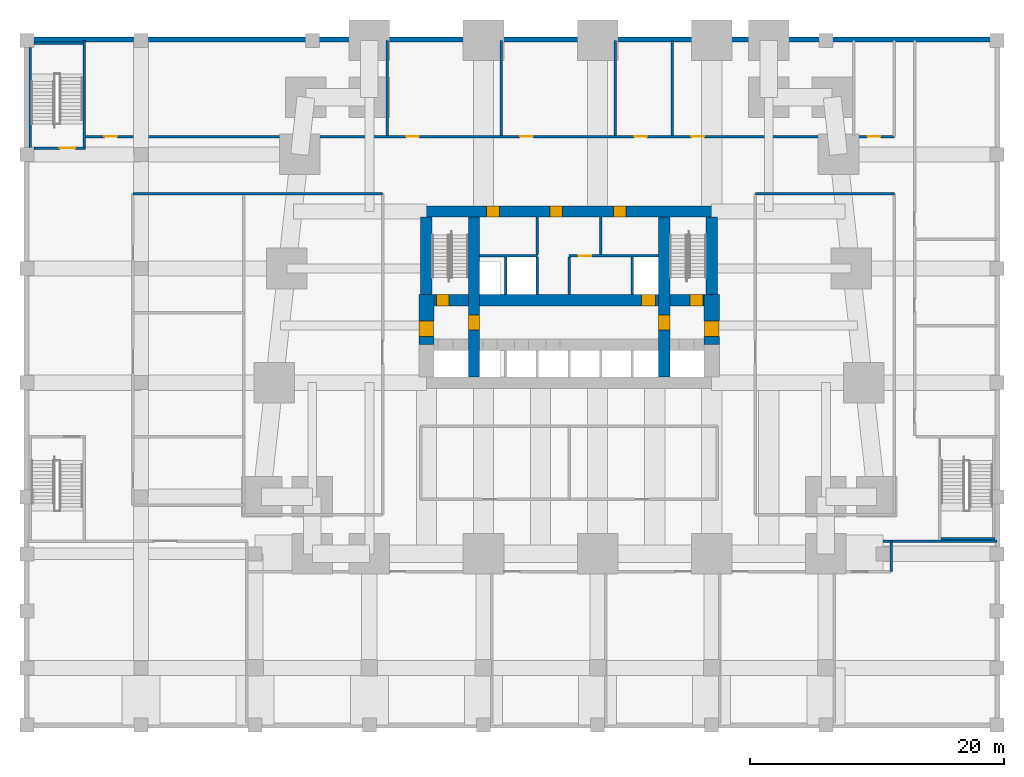
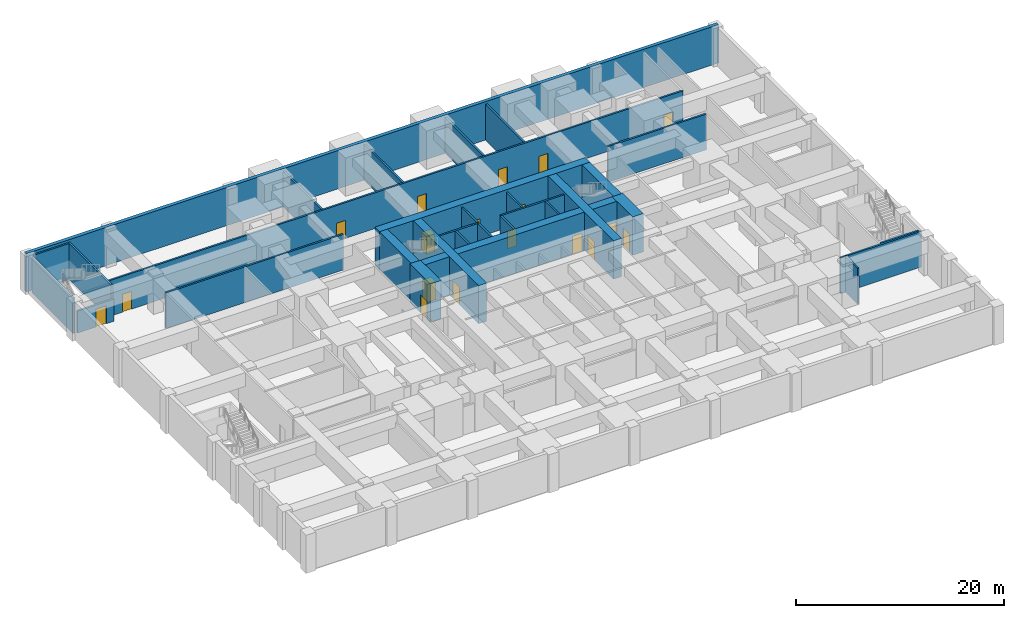
# One storey, part 4 of 8: 31 walls, 18 doors, 18 openings.
"""IFC4 building model written with IfcOpenShell, lengths in metres."""

from ifc_helpers import new_model, si_unit, direction, frame, frame_2d, origin, place, context, subcontext, project, spatial, rectangle, extrude, material, layer, layer_set, type_object, element, fill, save


model = new_model("IFC4")

# Units and contexts
model_context = context("Model", 3, precision=1e-05, world=origin(), true_north=direction((0.0, 1.0)))
body_context = subcontext(model_context, "Body", "Model", "MODEL_VIEW")
ifc_project = project(units=[si_unit("LENGTHUNIT", "METRE"), si_unit("AREAUNIT", "SQUARE_METRE"), si_unit("VOLUMEUNIT", "CUBIC_METRE"), si_unit("PLANEANGLEUNIT", "RADIAN"), si_unit("MASSUNIT", "GRAM", prefix="KILO")], contexts=[model_context])

# Site, building, storey
site_placement = place(None, origin())
site = spatial("IfcSite", under=ifc_project, at=site_placement, CompositionType="ELEMENT")
building_placement = place(site_placement, origin())
building = spatial("IfcBuilding", under=site, at=building_placement, Name="Kilele Tower Hotel", CompositionType="ELEMENT")
storey_placement = place(building_placement, frame((0.0, 0.0, -4.5)))
storey = spatial("IfcBuildingStorey", under=building, at=storey_placement, Name="B1", CompositionType="ELEMENT", Elevation=-4.5)

# Wall
ifc_material_1 = material(Name="Concrete C70/85", Category="concrete")
ifc_layer_1 = layer(ifc_material_1, 0.39990234375)
ifc_layer_set_1 = layer_set([ifc_layer_1], Name="Concrete C70/85")
wall_type_1 = type_object("IfcWallType", Name="Basement retaining wall 400", PredefinedType="SOLIDWALL", material=ifc_layer_set_1)
wall_1_placement = place(storey_placement, frame((58.75, 40.550048828125, 0.0), z_axis=(0.0, 0.0, 1.0), x_axis=(-1.0, 0.0, 0.0)))
element("IfcWall", 1, at=wall_1_placement, inside=storey, type_object=wall_type_1, Name="Retaining wall B1 N", PredefinedType="SOLIDWALL", context=body_context, shape_type="SweptSolid", body=[
    extrude(rectangle(XDim=77.0, YDim=0.39990234375, at=frame_2d((38.5, 0.0))), origin(), (0.0, 0.0, 1.0), 4.5),
])

# Wall, opening, door
ifc_material_2 = material(Name="Concrete C60/75", Category="concrete")
ifc_layer_2 = layer(ifc_material_2, 1.199951171875)
ifc_layer_set_2 = layer_set([ifc_layer_2], Name="Concrete C60/75")
wall_type_2 = type_object("IfcWallType", Name="Core wall 1200 C60/75", PredefinedType="SHEAR", material=ifc_layer_set_2)
wall_2_placement = place(storey_placement, frame((13.5, 20.449951171875, 0.0), z_axis=(0.0, 0.0, 1.0), x_axis=(0.0, -1.0, 0.0)))
wall_2 = element("IfcWall", 2, at=wall_2_placement, inside=storey, type_object=wall_type_2, Name="Core wall W2 B1", PredefinedType="SHEAR", context=body_context, shape_type="SweptSolid", body=[
    extrude(rectangle(XDim=3.949951171875, YDim=1.199951171875, at=frame_2d((1.97509765625, 0.0))), origin(), (0.0, 0.0, 1.0), 4.5),
])
opening_1_placement = place(wall_2_placement, frame((2.10009765625, 0.0, 0.0)))
opening_1 = element("IfcOpeningElement", 3, at=opening_1_placement, cuts=wall_2, Name="Opening D4", PredefinedType="OPENING", context=body_context, shape_type="SweptSolid", body=[
    extrude(rectangle(XDim=1.199951171875, YDim=2.10009765625, at=frame_2d((0.60009765625, 1.050048828125))), frame((0.0, 0.60986328125, 0.0), z_axis=(0.0, -1.0, 0.0), x_axis=(1.0, 0.0, 0.0)), (0.0, 0.0, 1.0), 1.219970703125),
])
ifc_material_3 = material(Name="Timber door leaf in hardwood frame", Category="wood")
door_type_1 = type_object("IfcDoorType", Name="Firefighting lobby door 1200", OperationType="SINGLE_SWING_LEFT", PredefinedType="DOOR", material=ifc_material_3)
door_1_placement = place(opening_1_placement, origin())
door_1 = element("IfcDoor", 4, at=door_1_placement, inside=storey, type_object=door_type_1, Name="Lobby door B1", OperationType="SINGLE_SWING_RIGHT", OverallHeight=2.10009765625, OverallWidth=1.199951171875, PredefinedType="DOOR", context=body_context, shape_type="SweptSolid", body=[
    extrude(rectangle(XDim=1.199951171875, YDim=2.10009765625, at=frame_2d((0.60009765625, 1.050048828125))), frame((0.0, 0.574951171875, 0.0), z_axis=(0.0, -1.0, 0.0), x_axis=(1.0, 0.0, 0.0)), (0.0, 0.0, 1.0), 1.14990234375),
])
fill(opening_1, door_1)

wall_3_placement = place(storey_placement, frame((36.0, 16.5, 0.0), z_axis=(0.0, 0.0, 1.0), x_axis=(0.0, 1.0, 0.0)))
wall_3 = element("IfcWall", 5, at=wall_3_placement, inside=storey, type_object=wall_type_2, Name="Core wall E2 B1", PredefinedType="SHEAR", context=body_context, shape_type="SweptSolid", body=[
    extrude(rectangle(XDim=3.949951171875, YDim=1.199951171875, at=frame_2d((1.97509765625, 0.0))), origin(), (0.0, 0.0, 1.0), 4.5),
])
opening_2_placement = place(wall_3_placement, frame((0.64990234375, 0.0, 0.0)))
opening_2 = element("IfcOpeningElement", 6, at=opening_2_placement, cuts=wall_3, Name="Opening D4", PredefinedType="OPENING", context=body_context, shape_type="SweptSolid", body=[
    extrude(rectangle(XDim=1.199951171875, YDim=2.10009765625, at=frame_2d((0.60009765625, 1.050048828125))), frame((0.0, 0.60986328125, 0.0), z_axis=(0.0, -1.0, 0.0), x_axis=(1.0, 0.0, 0.0)), (0.0, 0.0, 1.0), 1.219970703125),
])
door_2_placement = place(opening_2_placement, origin())
door_2 = element("IfcDoor", 7, at=door_2_placement, inside=storey, type_object=door_type_1, Name="Lobby door B1", OperationType="SINGLE_SWING_LEFT", OverallHeight=2.10009765625, OverallWidth=1.199951171875, PredefinedType="DOOR", context=body_context, shape_type="SweptSolid", body=[
    extrude(rectangle(XDim=1.199951171875, YDim=2.10009765625, at=frame_2d((0.60009765625, 1.050048828125))), frame((0.0, 0.574951171875, 0.0), z_axis=(0.0, -1.0, 0.0), x_axis=(1.0, 0.0, 0.0)), (0.0, 0.0, 1.0), 1.14990234375),
])
fill(opening_2, door_2)

# Wall, openings, doors
ifc_material_4 = material(Name="Concrete C60/75", Category="concrete")
ifc_layer_3 = layer(ifc_material_4, 0.89990234375)
ifc_layer_set_3 = layer_set([ifc_layer_3], Name="Concrete C60/75")
wall_type_3 = type_object("IfcWallType", Name="Core wall 900 C60/75", PredefinedType="SHEAR", material=ifc_layer_set_3)
wall_4_placement = place(storey_placement, frame((36.449951171875, 27.0, 0.0), z_axis=(0.0, 0.0, 1.0), x_axis=(-1.0, 0.0, 0.0)))
wall_4 = element("IfcWall", 8, at=wall_4_placement, inside=storey, type_object=wall_type_3, Name="Core wall N B1", PredefinedType="SHEAR", context=body_context, shape_type="SweptSolid", body=[
    extrude(rectangle(XDim=23.39990234375, YDim=0.89990234375, at=frame_2d((11.699951171875, 0.0))), origin(), (0.0, 0.0, 1.0), 4.5),
])
opening_3_placement = place(wall_4_placement, frame((17.199951171875, 0.0, 0.0)))
opening_3 = element("IfcOpeningElement", 9, at=opening_3_placement, cuts=wall_4, Name="Opening D6", PredefinedType="OPENING", context=body_context, shape_type="SweptSolid", body=[
    extrude(rectangle(XDim=1.0, YDim=2.10009765625, at=frame_2d((0.5, 1.050048828125))), frame((0.0, 0.4599609375, 0.0), z_axis=(0.0, -1.0, 0.0), x_axis=(1.0, 0.0, 0.0)), (0.0, 0.0, 1.0), 0.919921875),
])
opening_4_placement = place(wall_4_placement, frame((12.199951171875, 0.0, 0.0)))
opening_4 = element("IfcOpeningElement", 10, at=opening_4_placement, cuts=wall_4, Name="Opening D6", PredefinedType="OPENING", context=body_context, shape_type="SweptSolid", body=[
    extrude(rectangle(XDim=1.0, YDim=2.10009765625, at=frame_2d((0.5, 1.050048828125))), frame((0.0, 0.4599609375, 0.0), z_axis=(0.0, -1.0, 0.0), x_axis=(1.0, 0.0, 0.0)), (0.0, 0.0, 1.0), 0.919921875),
])
opening_5_placement = place(wall_4_placement, frame((7.199951171875, 0.0, 0.0)))
opening_5 = element("IfcOpeningElement", 11, at=opening_5_placement, cuts=wall_4, Name="Opening D6", PredefinedType="OPENING", context=body_context, shape_type="SweptSolid", body=[
    extrude(rectangle(XDim=1.0, YDim=2.10009765625, at=frame_2d((0.5, 1.050048828125))), frame((0.0, 0.4599609375, 0.0), z_axis=(0.0, -1.0, 0.0), x_axis=(1.0, 0.0, 0.0)), (0.0, 0.0, 1.0), 0.919921875),
])
ifc_material_5 = material(Name="Timber door leaf in hardwood frame", Category="wood")
door_type_2 = type_object("IfcDoorType", Name="Riser door 1000", OperationType="SINGLE_SWING_LEFT", PredefinedType="DOOR", material=ifc_material_5)
door_3_placement = place(opening_3_placement, origin())
door_3 = element("IfcDoor", 12, at=door_3_placement, inside=storey, type_object=door_type_2, Name="Service riser door B1", OperationType="SINGLE_SWING_RIGHT", OverallHeight=2.10009765625, OverallWidth=1.0, PredefinedType="DOOR", context=body_context, shape_type="SweptSolid", body=[
    extrude(rectangle(XDim=1.0, YDim=2.10009765625, at=frame_2d((0.5, 1.050048828125))), frame((0.0, 0.44970703125, 0.0), z_axis=(0.0, -1.0, 0.0), x_axis=(1.0, 0.0, 0.0)), (0.0, 0.0, 1.0), 0.8994140625),
])
fill(opening_3, door_3)
door_4_placement = place(opening_4_placement, origin())
door_4 = element("IfcDoor", 13, at=door_4_placement, inside=storey, type_object=door_type_2, Name="Plant store door B1", OperationType="SINGLE_SWING_RIGHT", OverallHeight=2.10009765625, OverallWidth=1.0, PredefinedType="DOOR", context=body_context, shape_type="SweptSolid", body=[
    extrude(rectangle(XDim=1.0, YDim=2.10009765625, at=frame_2d((0.5, 1.050048828125))), frame((0.0, 0.44970703125, 0.0), z_axis=(0.0, -1.0, 0.0), x_axis=(1.0, 0.0, 0.0)), (0.0, 0.0, 1.0), 0.8994140625),
])
fill(opening_4, door_4)
door_5_placement = place(opening_5_placement, origin())
door_5 = element("IfcDoor", 14, at=door_5_placement, inside=storey, type_object=door_type_2, Name="Electrical riser door B1", OperationType="SINGLE_SWING_RIGHT", OverallHeight=2.10009765625, OverallWidth=1.0, PredefinedType="DOOR", context=body_context, shape_type="SweptSolid", body=[
    extrude(rectangle(XDim=1.0, YDim=2.10009765625, at=frame_2d((0.5, 1.050048828125))), frame((0.0, 0.44970703125, 0.0), z_axis=(0.0, -1.0, 0.0), x_axis=(1.0, 0.0, 0.0)), (0.0, 0.0, 1.0), 0.8994140625),
])
fill(opening_5, door_5)

# Wall, opening, door
wall_5_placement = place(storey_placement, frame((17.25, 13.949951171875, 0.0), z_axis=(0.0, 0.0, 1.0), x_axis=(0.0, 1.0, 0.0)))
wall_5 = element("IfcWall", 15, at=wall_5_placement, inside=storey, type_object=wall_type_3, Name="Core wall IW B1", PredefinedType="SHEAR", context=body_context, shape_type="SweptSolid", body=[
    extrude(rectangle(XDim=12.60009765625, YDim=0.89990234375, at=frame_2d((6.300048828125, 0.0))), origin(), (0.0, 0.0, 1.0), 4.5),
])
opening_6_placement = place(wall_5_placement, frame((3.699951171875, 0.0, 0.0)))
opening_6 = element("IfcOpeningElement", 16, at=opening_6_placement, cuts=wall_5, Name="Opening D4", PredefinedType="OPENING", context=body_context, shape_type="SweptSolid", body=[
    extrude(rectangle(XDim=1.199951171875, YDim=2.10009765625, at=frame_2d((0.60009765625, 1.050048828125))), frame((0.0, 0.4599609375, 0.0), z_axis=(0.0, -1.0, 0.0), x_axis=(1.0, 0.0, 0.0)), (0.0, 0.0, 1.0), 0.919921875),
])
door_6_placement = place(opening_6_placement, origin())
door_6 = element("IfcDoor", 17, at=door_6_placement, inside=storey, type_object=door_type_1, Name="Lobby door B1", OperationType="SINGLE_SWING_LEFT", OverallHeight=2.10009765625, OverallWidth=1.199951171875, PredefinedType="DOOR", context=body_context, shape_type="SweptSolid", body=[
    extrude(rectangle(XDim=1.199951171875, YDim=2.10009765625, at=frame_2d((0.60009765625, 1.050048828125))), frame((0.0, 0.44970703125, 0.0), z_axis=(0.0, -1.0, 0.0), x_axis=(1.0, 0.0, 0.0)), (0.0, 0.0, 1.0), 0.8994140625),
])
fill(opening_6, door_6)

wall_6_placement = place(storey_placement, frame((32.25, 13.949951171875, 0.0), z_axis=(0.0, 0.0, 1.0), x_axis=(0.0, 1.0, 0.0)))
wall_6 = element("IfcWall", 18, at=wall_6_placement, inside=storey, type_object=wall_type_3, Name="Core wall IE B1", PredefinedType="SHEAR", context=body_context, shape_type="SweptSolid", body=[
    extrude(rectangle(XDim=12.60009765625, YDim=0.89990234375, at=frame_2d((6.300048828125, 0.0))), origin(), (0.0, 0.0, 1.0), 4.5),
])
opening_7_placement = place(wall_6_placement, frame((4.89990234375, 0.0, 0.0), z_axis=(0.0, 0.0, 1.0), x_axis=(-1.0, 0.0, 0.0)))
opening_7 = element("IfcOpeningElement", 19, at=opening_7_placement, cuts=wall_6, Name="Opening D4", PredefinedType="OPENING", context=body_context, shape_type="SweptSolid", body=[
    extrude(rectangle(XDim=1.199951171875, YDim=2.10009765625, at=frame_2d((0.60009765625, 1.050048828125))), frame((0.0, 0.4599609375, 0.0), z_axis=(0.0, -1.0, 0.0), x_axis=(1.0, 0.0, 0.0)), (0.0, 0.0, 1.0), 0.919921875),
])
door_7_placement = place(opening_7_placement, origin())
door_7 = element("IfcDoor", 20, at=door_7_placement, inside=storey, type_object=door_type_1, Name="Lobby door B1", OperationType="SINGLE_SWING_RIGHT", OverallHeight=2.10009765625, OverallWidth=1.199951171875, PredefinedType="DOOR", context=body_context, shape_type="SweptSolid", body=[
    extrude(rectangle(XDim=1.199951171875, YDim=2.10009765625, at=frame_2d((0.60009765625, 1.050048828125))), frame((0.0, 0.44970703125, 0.0), z_axis=(0.0, -1.0, 0.0), x_axis=(1.0, 0.0, 0.0)), (0.0, 0.0, 1.0), 0.8994140625),
])
fill(opening_7, door_7)

# Wall, openings, doors
wall_7_placement = place(storey_placement, frame((14.10009765625, 20.0, 0.0), z_axis=(0.0, 0.0, 1.0), x_axis=(1.0, 0.0, 0.0)))
wall_7 = element("IfcWall", 21, at=wall_7_placement, inside=storey, type_object=wall_type_3, Name="Core wall LN B1", PredefinedType="SHEAR", context=body_context, shape_type="SweptSolid", body=[
    extrude(rectangle(XDim=21.2998046875, YDim=0.89990234375, at=frame_2d((10.64990234375, 0.0))), origin(), (0.0, 0.0, 1.0), 4.5),
])
opening_8_placement = place(wall_7_placement, frame((0.199951171875, 0.0, 0.0)))
opening_8 = element("IfcOpeningElement", 22, at=opening_8_placement, cuts=wall_7, Name="Opening D5", PredefinedType="OPENING", context=body_context, shape_type="SweptSolid", body=[
    extrude(rectangle(XDim=1.0, YDim=2.10009765625, at=frame_2d((0.5, 1.050048828125))), frame((0.0, 0.4599609375, 0.0), z_axis=(0.0, -1.0, 0.0), x_axis=(1.0, 0.0, 0.0)), (0.0, 0.0, 1.0), 0.919921875),
])
opening_9_placement = place(wall_7_placement, frame((20.199951171875, 0.0, 0.0)))
opening_9 = element("IfcOpeningElement", 23, at=opening_9_placement, cuts=wall_7, Name="Opening D5", PredefinedType="OPENING", context=body_context, shape_type="SweptSolid", body=[
    extrude(rectangle(XDim=1.0, YDim=2.10009765625, at=frame_2d((0.5, 1.050048828125))), frame((0.0, 0.4599609375, 0.0), z_axis=(0.0, -1.0, 0.0), x_axis=(1.0, 0.0, 0.0)), (0.0, 0.0, 1.0), 0.919921875),
])
opening_10_placement = place(wall_7_placement, frame((16.35009765625, 0.0, 0.0)))
opening_10 = element("IfcOpeningElement", 24, at=opening_10_placement, cuts=wall_7, Name="Opening LD1", PredefinedType="OPENING", context=body_context, shape_type="SweptSolid", body=[
    extrude(rectangle(XDim=1.10009765625, YDim=2.10009765625, at=frame_2d((0.550048828125, 1.050048828125))), frame((0.0, 0.4599609375, 0.0), z_axis=(0.0, -1.0, 0.0), x_axis=(1.0, 0.0, 0.0)), (0.0, 0.0, 1.0), 0.919921875),
])
ifc_material_6 = material(Name="Steel lift landing door", Category="steel")
door_type_3 = type_object("IfcDoorType", Name="Lift landing door 1100", OperationType="SLIDING_TO_LEFT", PredefinedType="DOOR", material=ifc_material_6)
door_8_placement = place(opening_10_placement, origin())
door_8 = element("IfcDoor", 25, at=door_8_placement, inside=storey, type_object=door_type_3, Name="Landing door G1 B1", OperationType="SLIDING_TO_LEFT", OverallHeight=2.10009765625, OverallWidth=1.10009765625, PredefinedType="DOOR", context=body_context, shape_type="SweptSolid", body=[
    extrude(rectangle(XDim=1.10009765625, YDim=2.10009765625, at=frame_2d((0.550048828125, 1.050048828125))), frame((0.0, 0.44970703125, 0.0), z_axis=(0.0, -1.0, 0.0), x_axis=(1.0, 0.0, 0.0)), (0.0, 0.0, 1.0), 0.8994140625),
])
fill(opening_10, door_8)
ifc_material_7 = material(Name="Timber door leaf in hardwood frame", Category="wood")
door_type_4 = type_object("IfcDoorType", Name="Stair door 1000", OperationType="SINGLE_SWING_LEFT", PredefinedType="DOOR", material=ifc_material_7)
door_9_placement = place(opening_8_placement, origin())
door_9 = element("IfcDoor", 26, at=door_9_placement, inside=storey, type_object=door_type_4, Name="Stair 1 door B1", OperationType="SINGLE_SWING_LEFT", OverallHeight=2.10009765625, OverallWidth=1.0, PredefinedType="DOOR", context=body_context, shape_type="SweptSolid", body=[
    extrude(rectangle(XDim=1.0, YDim=2.10009765625, at=frame_2d((0.5, 1.050048828125))), frame((0.0, 0.44970703125, 0.0), z_axis=(0.0, -1.0, 0.0), x_axis=(1.0, 0.0, 0.0)), (0.0, 0.0, 1.0), 0.8994140625),
])
fill(opening_8, door_9)
door_10_placement = place(opening_9_placement, origin())
door_10 = element("IfcDoor", 27, at=door_10_placement, inside=storey, type_object=door_type_4, Name="Stair 2 door B1", OperationType="SINGLE_SWING_RIGHT", OverallHeight=2.10009765625, OverallWidth=1.0, PredefinedType="DOOR", context=body_context, shape_type="SweptSolid", body=[
    extrude(rectangle(XDim=1.0, YDim=2.10009765625, at=frame_2d((0.5, 1.050048828125))), frame((0.0, 0.44970703125, 0.0), z_axis=(0.0, -1.0, 0.0), x_axis=(1.0, 0.0, 0.0)), (0.0, 0.0, 1.0), 0.8994140625),
])
fill(opening_9, door_10)

# Walls
for number, where, z_axis, x_axis, name in (
    (28, (13.5, 26.550048828125, 0.0), (0.0, 0.0, 1.0), (0.0, -1.0, 0.0), "Core wall W1 B1"),
    (29, (36.0, 20.449951171875, 0.0), (0.0, 0.0, 1.0), (0.0, 1.0, 0.0), "Core wall E3 B1"),
):
    element("IfcWall", number, at=place(storey_placement, frame(where, z_axis=z_axis, x_axis=x_axis)), inside=storey, type_object=wall_type_3, Name=name, PredefinedType="SHEAR", context=body_context, shape_type="SweptSolid", body=[
        extrude(rectangle(XDim=6.10009765625, YDim=0.89990234375, at=frame_2d((3.050048828125, 0.0))), origin(), (0.0, 0.0, 1.0), 4.5),
    ])

# Wall, openings, doors
ifc_material_8 = material(Name="Blockwork, plastered both sides", Category="masonry")
ifc_layer_4 = layer(ifc_material_8, 0.199951171875)
ifc_layer_set_4 = layer_set([ifc_layer_4], Name="Blockwork, plastered both sides")
wall_type_4 = type_object("IfcWallType", Name="Partition wall 200", PredefinedType="PARTITIONING", material=ifc_layer_set_4)
wall_8_placement = place(storey_placement, frame((-13.39990234375, 32.89990234375, 0.0), z_axis=(0.0, 0.0, 1.0), x_axis=(1.0, 0.0, 0.0)))
wall_8 = element("IfcWall", 30, at=wall_8_placement, inside=storey, type_object=wall_type_4, Name="Partition wall 200 B1", PredefinedType="PARTITIONING", context=body_context, shape_type="SweptSolid", body=[
    extrude(rectangle(XDim=63.7998046875, YDim=0.199951171875, at=frame_2d((31.89990234375, 0.0))), origin(), (0.0, 0.0, 1.0), 4.199951171875),
])
opening_11_placement = place(wall_8_placement, frame((1.5, 0.0, 0.0)))
opening_11 = element("IfcOpeningElement", 31, at=opening_11_placement, cuts=wall_8, Name="Opening D8", PredefinedType="OPENING", context=body_context, shape_type="SweptSolid", body=[
    extrude(rectangle(XDim=1.0, YDim=2.10009765625, at=frame_2d((0.5, 1.050048828125))), frame((0.0, 0.10986328125, 0.0), z_axis=(0.0, -1.0, 0.0), x_axis=(1.0, 0.0, 0.0)), (0.0, 0.0, 1.0), 0.219970703125),
])
opening_12_placement = place(wall_8_placement, frame((25.300048828125, 0.0, 0.0)))
opening_12 = element("IfcOpeningElement", 32, at=opening_12_placement, cuts=wall_8, Name="Opening D8", PredefinedType="OPENING", context=body_context, shape_type="SweptSolid", body=[
    extrude(rectangle(XDim=1.0, YDim=2.10009765625, at=frame_2d((0.5, 1.050048828125))), frame((0.0, 0.10986328125, 0.0), z_axis=(0.0, -1.0, 0.0), x_axis=(1.0, 0.0, 0.0)), (0.0, 0.0, 1.0), 0.219970703125),
])
opening_13_placement = place(wall_8_placement, frame((34.300048828125, 0.0, 0.0)))
opening_13 = element("IfcOpeningElement", 33, at=opening_13_placement, cuts=wall_8, Name="Opening D8", PredefinedType="OPENING", context=body_context, shape_type="SweptSolid", body=[
    extrude(rectangle(XDim=1.0, YDim=2.10009765625, at=frame_2d((0.5, 1.050048828125))), frame((0.0, 0.10986328125, 0.0), z_axis=(0.0, -1.0, 0.0), x_axis=(1.0, 0.0, 0.0)), (0.0, 0.0, 1.0), 0.219970703125),
])
opening_14_placement = place(wall_8_placement, frame((43.300048828125, 0.0, 0.0)))
opening_14 = element("IfcOpeningElement", 34, at=opening_14_placement, cuts=wall_8, Name="Opening D8", PredefinedType="OPENING", context=body_context, shape_type="SweptSolid", body=[
    extrude(rectangle(XDim=1.0, YDim=2.10009765625, at=frame_2d((0.5, 1.050048828125))), frame((0.0, 0.10986328125, 0.0), z_axis=(0.0, -1.0, 0.0), x_axis=(1.0, 0.0, 0.0)), (0.0, 0.0, 1.0), 0.219970703125),
])
opening_15_placement = place(wall_8_placement, frame((47.800048828125, 0.0, 0.0)))
opening_15 = element("IfcOpeningElement", 35, at=opening_15_placement, cuts=wall_8, Name="Opening D8", PredefinedType="OPENING", context=body_context, shape_type="SweptSolid", body=[
    extrude(rectangle(XDim=1.0, YDim=2.10009765625, at=frame_2d((0.5, 1.050048828125))), frame((0.0, 0.10986328125, 0.0), z_axis=(0.0, -1.0, 0.0), x_axis=(1.0, 0.0, 0.0)), (0.0, 0.0, 1.0), 0.219970703125),
])
opening_16_placement = place(wall_8_placement, frame((61.699951171875, 0.0, 0.0)))
opening_16 = element("IfcOpeningElement", 36, at=opening_16_placement, cuts=wall_8, Name="Opening D8", PredefinedType="OPENING", context=body_context, shape_type="SweptSolid", body=[
    extrude(rectangle(XDim=1.0, YDim=2.10009765625, at=frame_2d((0.5, 1.050048828125))), frame((0.0, 0.10986328125, 0.0), z_axis=(0.0, -1.0, 0.0), x_axis=(1.0, 0.0, 0.0)), (0.0, 0.0, 1.0), 0.219970703125),
])
ifc_material_9 = material(Name="Timber door leaf in hardwood frame", Category="wood")
door_type_5 = type_object("IfcDoorType", Name="Door 1000", OperationType="SINGLE_SWING_LEFT", PredefinedType="DOOR", material=ifc_material_9)
door_11_placement = place(opening_11_placement, origin())
door_11 = element("IfcDoor", 37, at=door_11_placement, inside=storey, type_object=door_type_5, Name="Door Laundry", OperationType="SINGLE_SWING_LEFT", OverallHeight=2.10009765625, OverallWidth=1.0, PredefinedType="DOOR", context=body_context, shape_type="SweptSolid", body=[
    extrude(rectangle(XDim=1.0, YDim=2.10009765625, at=frame_2d((0.5, 1.050048828125))), frame((0.0, 0.02490234375, 0.0), z_axis=(0.0, -1.0, 0.0), x_axis=(1.0, 0.0, 0.0)), (0.0, 0.0, 1.0), 0.050048828125),
])
fill(opening_11, door_11)
door_12_placement = place(opening_12_placement, origin())
door_12 = element("IfcDoor", 38, at=door_12_placement, inside=storey, type_object=door_type_5, Name="Door Staff changing room and WC, men", OperationType="SINGLE_SWING_LEFT", OverallHeight=2.10009765625, OverallWidth=1.0, PredefinedType="DOOR", context=body_context, shape_type="SweptSolid", body=[
    extrude(rectangle(XDim=1.0, YDim=2.10009765625, at=frame_2d((0.5, 1.050048828125))), frame((0.0, 0.02490234375, 0.0), z_axis=(0.0, -1.0, 0.0), x_axis=(1.0, 0.0, 0.0)), (0.0, 0.0, 1.0), 0.050048828125),
])
fill(opening_12, door_12)
door_13_placement = place(opening_13_placement, origin())
door_13 = element("IfcDoor", 39, at=door_13_placement, inside=storey, type_object=door_type_5, Name="Door Staff changing room and WC, women", OperationType="SINGLE_SWING_LEFT", OverallHeight=2.10009765625, OverallWidth=1.0, PredefinedType="DOOR", context=body_context, shape_type="SweptSolid", body=[
    extrude(rectangle(XDim=1.0, YDim=2.10009765625, at=frame_2d((0.5, 1.050048828125))), frame((0.0, 0.02490234375, 0.0), z_axis=(0.0, -1.0, 0.0), x_axis=(1.0, 0.0, 0.0)), (0.0, 0.0, 1.0), 0.050048828125),
])
fill(opening_13, door_13)
door_14_placement = place(opening_14_placement, origin())
door_14 = element("IfcDoor", 40, at=door_14_placement, inside=storey, type_object=door_type_5, Name="Door Accessible staff WC", OperationType="SINGLE_SWING_LEFT", OverallHeight=2.10009765625, OverallWidth=1.0, PredefinedType="DOOR", context=body_context, shape_type="SweptSolid", body=[
    extrude(rectangle(XDim=1.0, YDim=2.10009765625, at=frame_2d((0.5, 1.050048828125))), frame((0.0, 0.02490234375, 0.0), z_axis=(0.0, -1.0, 0.0), x_axis=(1.0, 0.0, 0.0)), (0.0, 0.0, 1.0), 0.050048828125),
])
fill(opening_14, door_14)
door_15_placement = place(opening_15_placement, origin())
door_15 = element("IfcDoor", 41, at=door_15_placement, inside=storey, type_object=door_type_5, Name="Door Housekeeping store", OperationType="SINGLE_SWING_LEFT", OverallHeight=2.10009765625, OverallWidth=1.0, PredefinedType="DOOR", context=body_context, shape_type="SweptSolid", body=[
    extrude(rectangle(XDim=1.0, YDim=2.10009765625, at=frame_2d((0.5, 1.050048828125))), frame((0.0, 0.02490234375, 0.0), z_axis=(0.0, -1.0, 0.0), x_axis=(1.0, 0.0, 0.0)), (0.0, 0.0, 1.0), 0.050048828125),
])
fill(opening_15, door_15)
door_16_placement = place(opening_16_placement, origin())
door_16 = element("IfcDoor", 42, at=door_16_placement, inside=storey, type_object=door_type_5, Name="Door IT equipment room", OperationType="SINGLE_SWING_RIGHT", OverallHeight=2.10009765625, OverallWidth=1.0, PredefinedType="DOOR", context=body_context, shape_type="SweptSolid", body=[
    extrude(rectangle(XDim=1.0, YDim=2.10009765625, at=frame_2d((0.5, 1.050048828125))), frame((0.0, 0.02490234375, 0.0), z_axis=(0.0, -1.0, 0.0), x_axis=(1.0, 0.0, 0.0)), (0.0, 0.0, 1.0), 0.050048828125),
])
fill(opening_16, door_16)

# Walls
for number, where, z_axis, x_axis, name in (
    (43, (10.39990234375, 33.0, 0.0), (0.0, 0.0, 1.0), (0.0, 1.0, 0.0), "Partition wall 200 B1"),
    (44, (19.39990234375, 33.0, 0.0), (0.0, 0.0, 1.0), (0.0, 1.0, 0.0), "Partition wall 200 B1"),
    (45, (28.39990234375, 33.0, 0.0), (0.0, 0.0, 1.0), (0.0, 1.0, 0.0), "Partition wall 200 B1"),
    (46, (32.89990234375, 33.0, 0.0), (0.0, 0.0, 1.0), (0.0, 1.0, 0.0), "Partition wall 200 B1"),
):
    element("IfcWall", number, at=place(storey_placement, frame(where, z_axis=z_axis, x_axis=x_axis)), inside=storey, type_object=wall_type_4, Name=name, PredefinedType="PARTITIONING", context=body_context, shape_type="SweptSolid", body=[
        extrude(rectangle(XDim=7.5, YDim=0.199951171875, at=frame_2d((3.75, 0.0))), origin(), (0.0, 0.0, 1.0), 4.199951171875),
    ])
wall_9_placement = place(storey_placement, frame((49.5, 1.0, 0.0), z_axis=(0.0, 0.0, 1.0), x_axis=(1.0, 0.0, 0.0)))
element("IfcWall", 47, at=wall_9_placement, inside=storey, type_object=wall_type_4, Name="Partition wall 200 B1", PredefinedType="PARTITIONING", context=body_context, shape_type="SweptSolid", body=[
    extrude(rectangle(XDim=9.0, YDim=0.199951171875, at=frame_2d((4.5, 0.0))), origin(), (0.0, 0.0, 1.0), 4.199951171875),
])
wall_10_placement = place(storey_placement, frame((-9.64990234375, 28.39990234375, 0.0), z_axis=(0.0, 0.0, 1.0), x_axis=(1.0, 0.0, 0.0)))
element("IfcWall", 48, at=wall_10_placement, inside=storey, type_object=wall_type_4, Name="Partition wall 200 B1", PredefinedType="PARTITIONING", context=body_context, shape_type="SweptSolid", body=[
    extrude(rectangle(XDim=19.699951171875, YDim=0.199951171875, at=frame_2d((9.85009765625, 0.0))), origin(), (0.0, 0.0, 1.0), 4.199951171875),
])
wall_11_placement = place(storey_placement, frame((39.449951171875, 28.39990234375, 0.0), z_axis=(0.0, 0.0, 1.0), x_axis=(1.0, 0.0, 0.0)))
element("IfcWall", 49, at=wall_11_placement, inside=storey, type_object=wall_type_4, Name="Partition wall 200 B1", PredefinedType="PARTITIONING", context=body_context, shape_type="SweptSolid", body=[
    extrude(rectangle(XDim=10.949951171875, YDim=0.199951171875, at=frame_2d((5.47509765625, 0.0))), origin(), (0.0, 0.0, 1.0), 4.199951171875),
])
wall_12_placement = place(storey_placement, frame((50.14990234375, -1.39990234375, 0.0), z_axis=(0.0, 0.0, 1.0), x_axis=(0.0, 1.0, 0.0)))
element("IfcWall", 50, at=wall_12_placement, inside=storey, type_object=wall_type_4, Name="Partition wall 200 B1", PredefinedType="PARTITIONING", context=body_context, shape_type="SweptSolid", body=[
    extrude(rectangle(XDim=2.39990234375, YDim=0.199951171875, at=frame_2d((1.199951171875, 0.0))), origin(), (0.0, 0.0, 1.0), 4.199951171875),
])
ifc_material_10 = material(Name="Blockwork, fire-rated", Category="masonry")
ifc_layer_5 = layer(ifc_material_10, 0.199951171875)
ifc_layer_set_5 = layer_set([ifc_layer_5], Name="Blockwork, fire-rated")
wall_type_5 = type_object("IfcWallType", Name="Shaft wall 200", PredefinedType="PARTITIONING", material=ifc_layer_set_5)
for number, where, z_axis, x_axis, name in (
    (51, (19.75, 20.449951171875, 0.0), (0.0, 0.0, 1.0), (0.0, 1.0, 0.0), "Shaft wall 200 B1"),
    (52, (22.25, 20.449951171875, 0.0), (0.0, 0.0, 1.0), (0.0, 1.0, 0.0), "Shaft wall 200 B1"),
    (53, (24.75, 20.449951171875, 0.0), (0.0, 0.0, 1.0), (0.0, 1.0, 0.0), "Shaft wall 200 B1"),
    (54, (29.75, 20.449951171875, 0.0), (0.0, 0.0, 1.0), (0.0, 1.0, 0.0), "Shaft wall 200 B1"),
):
    element("IfcWall", number, at=place(storey_placement, frame(where, z_axis=z_axis, x_axis=x_axis)), inside=storey, type_object=wall_type_5, Name=name, PredefinedType="PARTITIONING", context=body_context, shape_type="SweptSolid", body=[
        extrude(rectangle(XDim=2.949951171875, YDim=0.199951171875, at=frame_2d((1.47509765625, 0.0))), origin(), (0.0, 0.0, 1.0), 4.199951171875),
    ])
wall_13_placement = place(storey_placement, frame((17.699951171875, 23.5, 0.0), z_axis=(0.0, 0.0, 1.0), x_axis=(1.0, 0.0, 0.0)))
element("IfcWall", 55, at=wall_13_placement, inside=storey, type_object=wall_type_5, Name="Shaft wall 200 B1", PredefinedType="PARTITIONING", context=body_context, shape_type="SweptSolid", body=[
    extrude(rectangle(XDim=4.550048828125, YDim=0.199951171875, at=frame_2d((2.27490234375, 0.0))), origin(), (0.0, 0.0, 1.0), 4.199951171875),
])

# Wall, opening, door
wall_14_placement = place(storey_placement, frame((24.75, 23.5, 0.0), z_axis=(0.0, 0.0, 1.0), x_axis=(1.0, 0.0, 0.0)))
wall_14 = element("IfcWall", 56, at=wall_14_placement, inside=storey, type_object=wall_type_5, Name="Shaft wall 200 B1", PredefinedType="PARTITIONING", context=body_context, shape_type="SweptSolid", body=[
    extrude(rectangle(XDim=7.050048828125, YDim=0.199951171875, at=frame_2d((3.52490234375, 0.0))), origin(), (0.0, 0.0, 1.0), 4.199951171875),
])
opening_17_placement = place(wall_14_placement, frame((0.75, 0.0, 0.0)))
opening_17 = element("IfcOpeningElement", 57, at=opening_17_placement, cuts=wall_14, Name="Opening D11", PredefinedType="OPENING", context=body_context, shape_type="SweptSolid", body=[
    extrude(rectangle(XDim=1.0, YDim=2.10009765625, at=frame_2d((0.5, 1.050048828125))), frame((0.0, 0.10986328125, 0.0), z_axis=(0.0, -1.0, 0.0), x_axis=(1.0, 0.0, 0.0)), (0.0, 0.0, 1.0), 0.219970703125),
])
ifc_material_11 = material(Name="Timber door leaf in hardwood frame", Category="wood")
door_type_6 = type_object("IfcDoorType", Name="Core store door 1000", OperationType="SINGLE_SWING_LEFT", PredefinedType="DOOR", material=ifc_material_11)
door_17_placement = place(opening_17_placement, origin())
door_17 = element("IfcDoor", 58, at=door_17_placement, inside=storey, type_object=door_type_6, Name="Core room door H2", OperationType="SINGLE_SWING_RIGHT", OverallHeight=2.10009765625, OverallWidth=1.0, PredefinedType="DOOR", context=body_context, shape_type="SweptSolid", body=[
    extrude(rectangle(XDim=1.0, YDim=2.10009765625, at=frame_2d((0.5, 1.050048828125))), frame((0.0, 0.02490234375, 0.0), z_axis=(0.0, -1.0, 0.0), x_axis=(1.0, 0.0, 0.0)), (0.0, 0.0, 1.0), 0.050048828125),
])
fill(opening_17, door_17)

# Walls
for number, where, z_axis, x_axis, name in (
    (59, (22.25, 23.60009765625, 0.0), (0.0, 0.0, 1.0), (0.0, 1.0, 0.0), "Shaft wall 200 B1"),
    (60, (27.25, 23.60009765625, 0.0), (0.0, 0.0, 1.0), (0.0, 1.0, 0.0), "Shaft wall 200 B1"),
):
    element("IfcWall", number, at=place(storey_placement, frame(where, z_axis=z_axis, x_axis=x_axis)), inside=storey, type_object=wall_type_5, Name=name, PredefinedType="PARTITIONING", context=body_context, shape_type="SweptSolid", body=[
        extrude(rectangle(XDim=2.949951171875, YDim=0.199951171875, at=frame_2d((1.47509765625, 0.0))), origin(), (0.0, 0.0, 1.0), 4.199951171875),
    ])

# Wall, opening, door
ifc_material_12 = material(Name="Concrete C40/50", Category="concrete")
ifc_layer_6 = layer(ifc_material_12, 0.199951171875)
ifc_layer_set_6 = layer_set([ifc_layer_6], Name="Concrete C40/50")
wall_type_6 = type_object("IfcWallType", Name="Stair wall RC 200 C40/50", PredefinedType="SOLIDWALL", material=ifc_layer_set_6)
wall_15_placement = place(storey_placement, frame((-17.449951171875, 32.0, 0.0), z_axis=(0.0, 0.0, 1.0), x_axis=(1.0, 0.0, 0.0)))
wall_15 = element("IfcWall", 61, at=wall_15_placement, inside=storey, type_object=wall_type_6, Name="Stair wall RC 200 C40/50 B1", PredefinedType="SOLIDWALL", context=body_context, shape_type="SweptSolid", body=[
    extrude(rectangle(XDim=4.050048828125, YDim=0.199951171875, at=frame_2d((2.02490234375, 0.0))), origin(), (0.0, 0.0, 1.0), 2.60009765625),
])
opening_18_placement = place(wall_15_placement, frame((2.050048828125, 0.0, 0.0)))
opening_18 = element("IfcOpeningElement", 62, at=opening_18_placement, cuts=wall_15, Name="Opening D5A", PredefinedType="OPENING", context=body_context, shape_type="SweptSolid", body=[
    extrude(rectangle(XDim=1.199951171875, YDim=2.10009765625, at=frame_2d((0.60009765625, 1.050048828125))), frame((0.0, 0.10986328125, 0.0), z_axis=(0.0, -1.0, 0.0), x_axis=(1.0, 0.0, 0.0)), (0.0, 0.0, 1.0), 0.219970703125),
])
ifc_material_13 = material(Name="Timber door leaf in hardwood frame", Category="wood")
door_type_7 = type_object("IfcDoorType", Name="Stair door 1200", OperationType="SINGLE_SWING_LEFT", PredefinedType="DOOR", material=ifc_material_13)
door_18_placement = place(opening_18_placement, origin())
door_18 = element("IfcDoor", 63, at=door_18_placement, inside=storey, type_object=door_type_7, Name="Stair 3 door", OperationType="SINGLE_SWING_RIGHT", OverallHeight=2.10009765625, OverallWidth=1.199951171875, PredefinedType="DOOR", context=body_context, shape_type="SweptSolid", body=[
    extrude(rectangle(XDim=1.199951171875, YDim=2.10009765625, at=frame_2d((0.60009765625, 1.050048828125))), frame((0.0, 0.02490234375, 0.0), z_axis=(0.0, -1.0, 0.0), x_axis=(1.0, 0.0, 0.0)), (0.0, 0.0, 1.0), 0.050048828125),
])
fill(opening_18, door_18)

# Walls
wall_16_placement = place(storey_placement, frame((-13.5, 32.10009765625, 0.0), z_axis=(0.0, 0.0, 1.0), x_axis=(0.0, 1.0, 0.0)))
element("IfcWall", 64, at=wall_16_placement, inside=storey, type_object=wall_type_6, Name="Stair wall RC 200 C40/50 B1", PredefinedType="SOLIDWALL", context=body_context, shape_type="SweptSolid", body=[
    extrude(rectangle(XDim=8.39990234375, YDim=0.199951171875, at=frame_2d((4.199951171875, 0.0))), origin(), (0.0, 0.0, 1.0), 4.199951171875),
])
wall_17_placement = place(storey_placement, frame((-17.75, 32.050048828125, 0.0), z_axis=(0.0, 0.0, 1.0), x_axis=(0.0, 1.0, 0.0)))
element("IfcWall", 65, at=wall_17_placement, inside=storey, type_object=wall_type_6, Name="Stair wall RC 200 C40/50 B1", PredefinedType="SOLIDWALL", context=body_context, shape_type="SweptSolid", body=[
    extrude(rectangle(XDim=7.89990234375, YDim=0.199951171875, at=frame_2d((3.949951171875, 0.0))), origin(), (0.0, 0.0, 1.0), 4.199951171875),
])
wall_18_placement = place(storey_placement, frame((-17.449951171875, 40.25, 0.0), z_axis=(0.0, 0.0, 1.0), x_axis=(1.0, 0.0, 0.0)))
element("IfcWall", 66, at=wall_18_placement, inside=storey, type_object=wall_type_6, Name="Stair wall RC 200 C40/50 B1", PredefinedType="SOLIDWALL", context=body_context, shape_type="SweptSolid", body=[
    extrude(rectangle(XDim=3.849853515625, YDim=0.199951171875, at=frame_2d((1.9248046875, 0.0))), origin(), (0.0, 0.0, 1.0), 4.199951171875),
])
wall_19_placement = place(storey_placement, frame((54.10009765625, 1.199951171875, 0.0), z_axis=(0.0, 0.0, 1.0), x_axis=(1.0, 0.0, 0.0)))
element("IfcWall", 67, at=wall_19_placement, inside=storey, type_object=wall_type_6, Name="Stair wall RC 200 C40/50 B1", PredefinedType="SOLIDWALL", context=body_context, shape_type="SweptSolid", body=[
    extrude(rectangle(XDim=4.25, YDim=0.199951171875, at=frame_2d((2.125, 0.0))), origin(), (0.0, 0.0, 1.0), 4.199951171875),
])

save(model, "model.ifc")
